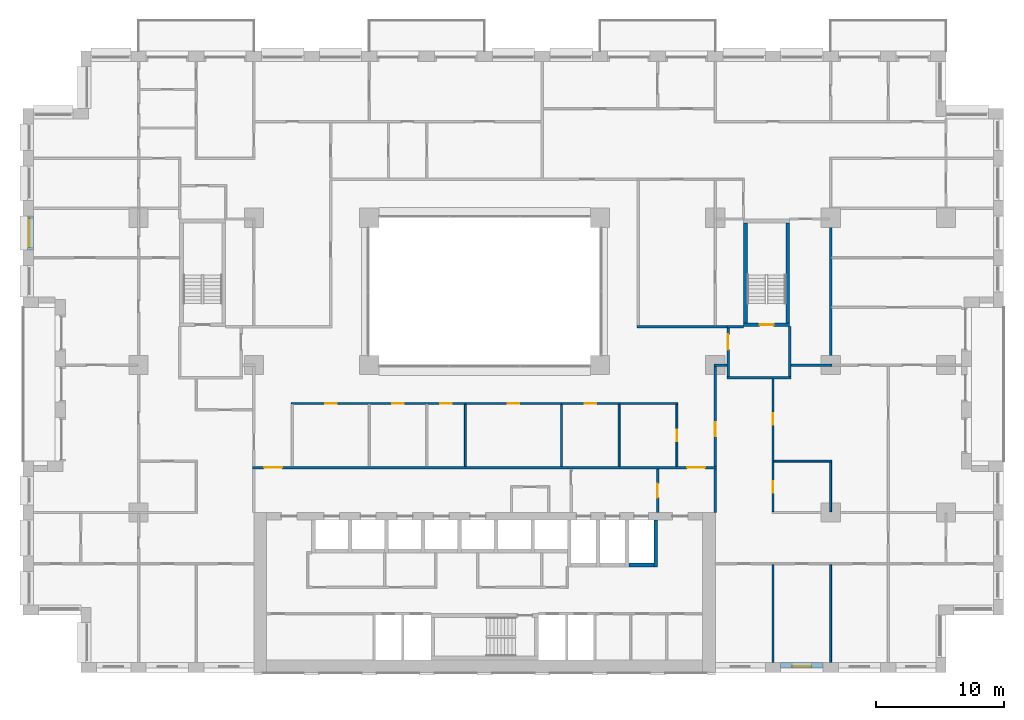
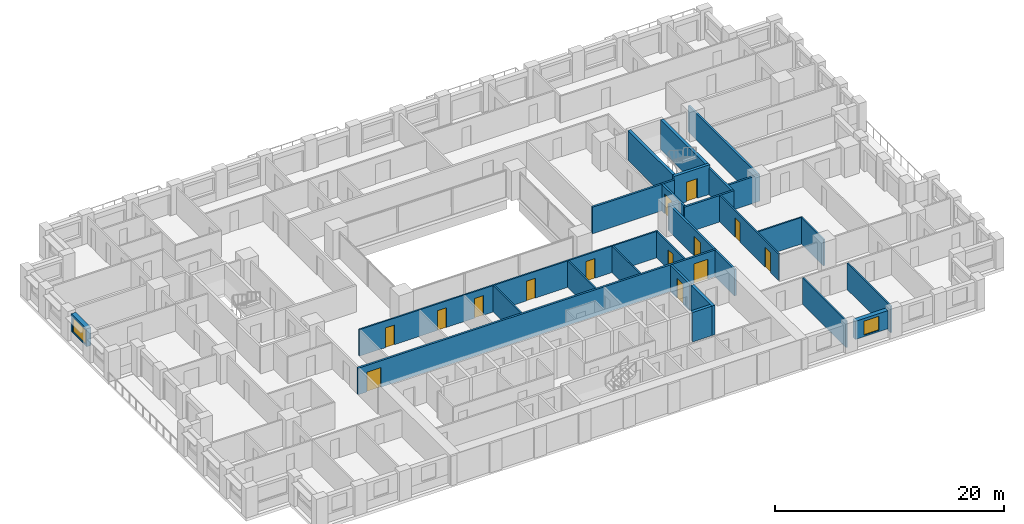
# One storey, part 12 of 20: 29 walls, 14 doors, 2 windows, 16 openings.
"""IFC4 building model written with IfcOpenShell, lengths in metres."""

from ifc_helpers import new_model, si_unit, direction, frame, frame_2d, origin, place, context, subcontext, project, spatial, rectangle, extrude, material, layer, layer_set, type_object, element, fill, save


model = new_model("IFC4")

# Units and contexts
model_context = context("Model", 3, precision=1e-05, world=origin(), true_north=direction((0.0, 1.0)))
body_context = subcontext(model_context, "Body", "Model", "MODEL_VIEW")
ifc_project = project(units=[si_unit("LENGTHUNIT", "METRE"), si_unit("AREAUNIT", "SQUARE_METRE"), si_unit("VOLUMEUNIT", "CUBIC_METRE"), si_unit("PLANEANGLEUNIT", "RADIAN"), si_unit("MASSUNIT", "GRAM", prefix="KILO")], contexts=[model_context])

# Site, building, storey
site_placement = place(None, origin())
site = spatial("IfcSite", under=ifc_project, at=site_placement, CompositionType="ELEMENT")
building_placement = place(site_placement, origin())
building = spatial("IfcBuilding", under=site, at=building_placement, Name="Brigalow Station Residences", CompositionType="ELEMENT")
storey_placement = place(building_placement, frame((0.0, 0.0, 63.60009765625)))
storey = spatial("IfcBuildingStorey", under=building, at=storey_placement, Name="L18", CompositionType="ELEMENT", Elevation=63.60009765625)

# Wall, opening, window
ifc_material_1 = material(Name="Clay brick masonry", Category="masonry")
ifc_layer_1 = layer(ifc_material_1, 0.449951171875)
ifc_layer_set_1 = layer_set([ifc_layer_1], Name="BRICK INFILL WALL 450")
wall_type_1 = type_object("IfcWallType", Name="BRICK INFILL WALL 450", PredefinedType="SOLIDWALL", material=ifc_layer_set_1)
wall_1_placement = place(storey_placement, frame((59.10009765625, 0.574951171875, 0.89990234375), z_axis=(0.0, 0.0, 1.0), x_axis=(1.0, 0.0, 0.0)))
wall_1 = element("IfcWall", 1, at=wall_1_placement, inside=storey, type_object=wall_type_1, Name="L18/ewall/W-L18-6", PredefinedType="SOLIDWALL", context=body_context, shape_type="SweptSolid", body=[
    extrude(rectangle(XDim=3.2998046875, YDim=0.449951171875, at=frame_2d((1.64990234375, 0.0))), origin(), (0.0, 0.0, 1.0), 1.929931640625),
])
opening_1_placement = place(wall_1_placement, frame((0.89990234375, 0.0, 0.14990234375)))
opening_1 = element("IfcOpeningElement", 2, at=opening_1_placement, cuts=wall_1, Name="Opening WT-1", PredefinedType="OPENING", context=body_context, shape_type="SweptSolid", body=[
    extrude(rectangle(XDim=1.5, YDim=1.5, at=frame_2d((0.75, 0.75))), frame((0.0, 0.23486328125, 0.0), z_axis=(0.0, -1.0, 0.0), x_axis=(1.0, 0.0, 0.0)), (0.0, 0.0, 1.0), 0.469970703125),
])
ifc_material_2 = material(Name="Anodised aluminium frame with double glazing", Category="aluminium")
window_type_1 = type_object("IfcWindowType", Name="WINDOW 1500x1500", PartitioningType="SINGLE_PANEL", PredefinedType="WINDOW", material=ifc_material_2)
window_1_placement = place(opening_1_placement, origin())
window_1 = element("IfcWindow", 3, at=window_1_placement, inside=storey, type_object=window_type_1, Name="L18/window/W-L18-6", OverallHeight=1.5, OverallWidth=1.5, PartitioningType="SINGLE_PANEL", PredefinedType="WINDOW", context=body_context, shape_type="SweptSolid", body=[
    extrude(rectangle(XDim=1.5, YDim=1.5, at=frame_2d((0.75, 0.75))), frame((0.0, -0.06494140625, 0.0), z_axis=(0.0, -1.0, 0.0), x_axis=(1.0, 0.0, 0.0)), (0.0, 0.0, 1.0), 0.06005859375),
])
fill(opening_1, window_1)

wall_2_placement = place(storey_placement, frame((0.574951171875, 35.64990234375, 0.89990234375), z_axis=(0.0, 0.0, 1.0), x_axis=(0.0, -1.0, 0.0)))
wall_2 = element("IfcWall", 4, at=wall_2_placement, inside=storey, type_object=wall_type_1, Name="L18/ewall/W-L18-44", PredefinedType="SOLIDWALL", context=body_context, shape_type="SweptSolid", body=[
    extrude(rectangle(XDim=2.6748046875, YDim=0.449951171875, at=frame_2d((1.33740234375, 0.0))), origin(), (0.0, 0.0, 1.0), 1.929931640625),
])
opening_2_placement = place(wall_2_placement, frame((0.21240234375, 0.0, 0.14990234375)))
opening_2 = element("IfcOpeningElement", 5, at=opening_2_placement, cuts=wall_2, Name="Opening WT-6", PredefinedType="OPENING", context=body_context, shape_type="SweptSolid", body=[
    extrude(rectangle(XDim=2.25, YDim=1.5, at=frame_2d((1.125, 0.75))), frame((0.0, 0.23486328125, 0.0), z_axis=(0.0, -1.0, 0.0), x_axis=(1.0, 0.0, 0.0)), (0.0, 0.0, 1.0), 0.469970703125),
])
ifc_material_3 = material(Name="Anodised aluminium frame with double glazing", Category="aluminium")
window_type_2 = type_object("IfcWindowType", Name="WINDOW 2250x1500", PartitioningType="SINGLE_PANEL", PredefinedType="WINDOW", material=ifc_material_3)
window_2_placement = place(opening_2_placement, origin())
window_2 = element("IfcWindow", 6, at=window_2_placement, inside=storey, type_object=window_type_2, Name="L18/window/W-L18-44", OverallHeight=1.5, OverallWidth=2.25, PartitioningType="SINGLE_PANEL", PredefinedType="WINDOW", context=body_context, shape_type="SweptSolid", body=[
    extrude(rectangle(XDim=2.25, YDim=1.5, at=frame_2d((1.125, 0.75))), frame((0.0, -0.06494140625, 0.0), z_axis=(0.0, -1.0, 0.0), x_axis=(1.0, 0.0, 0.0)), (0.0, 0.0, 1.0), 0.06005859375),
])
fill(opening_2, window_2)

# Walls
ifc_material_4 = material(Name="Concrete C80", Category="concrete")
ifc_layer_2 = layer(ifc_material_4, 0.300048828125)
ifc_layer_set_2 = layer_set([ifc_layer_2], Name="CORE SHEAR WALL 300 C80")
wall_type_2 = type_object("IfcWallType", Name="CORE SHEAR WALL 300 C80", PredefinedType="SHEAR", material=ifc_layer_set_2)
wall_3_placement = place(storey_placement, frame((47.25, 8.39990234375, 0.0), z_axis=(0.0, 0.0, 1.0), x_axis=(1.0, 0.0, 0.0)))
element("IfcWall", 7, at=wall_3_placement, inside=storey, type_object=wall_type_2, Name="CORE WALL SH-SL1-S L18", PredefinedType="SHEAR", context=body_context, shape_type="SweptSolid", body=[
    extrude(rectangle(XDim=1.949951171875, YDim=0.300048828125, at=frame_2d((0.97509765625, 0.0))), origin(), (0.0, 0.0, 1.0), 3.14990234375),
])
wall_4_placement = place(storey_placement, frame((49.35009765625, 8.25, 0.0), z_axis=(0.0, 0.0, 1.0), x_axis=(0.0, 1.0, 0.0)))
element("IfcWall", 8, at=wall_4_placement, inside=storey, type_object=wall_type_2, Name="CORE WALL SH-SL1-E L18", PredefinedType="SHEAR", context=body_context, shape_type="SweptSolid", body=[
    extrude(rectangle(XDim=3.64990234375, YDim=0.300048828125, at=frame_2d((1.824951171875, 0.0))), origin(), (0.0, 0.0, 1.0), 3.14990234375),
])

# Wall, opening, door
wall_5_placement = place(storey_placement, frame((56.199951171875, 27.14990234375, 0.0), z_axis=(0.0, 0.0, 1.0), x_axis=(1.0, 0.0, 0.0)))
wall_5 = element("IfcWall", 9, at=wall_5_placement, inside=storey, type_object=wall_type_2, Name="CORE WALL ST-S3-S L18", PredefinedType="SHEAR", context=body_context, shape_type="SweptSolid", body=[
    extrude(rectangle(XDim=3.60009765625, YDim=0.300048828125, at=frame_2d((1.800048828125, 0.0))), origin(), (0.0, 0.0, 1.0), 3.14990234375),
])
opening_3_placement = place(wall_5_placement, frame((1.25, 0.0, 0.0)))
opening_3 = element("IfcOpeningElement", 10, at=opening_3_placement, cuts=wall_5, Name="Opening D-5018", PredefinedType="OPENING", context=body_context, shape_type="SweptSolid", body=[
    extrude(rectangle(XDim=1.10009765625, YDim=2.10009765625, at=frame_2d((0.550048828125, 1.050048828125))), frame((0.0, 0.16015625, 0.0), z_axis=(0.0, -1.0, 0.0), x_axis=(1.0, 0.0, 0.0)), (0.0, 0.0, 1.0), 0.320068359375),
])
ifc_material_5 = material(Name="Steel fire door leaf in steel frame", Category="steel")
door_type_1 = type_object("IfcDoorType", Name="STAIR DOOR 1100 x 2100 FD60S", OperationType="SINGLE_SWING_LEFT", PredefinedType="DOOR", material=ifc_material_5)
door_1_placement = place(opening_3_placement, origin())
door_1 = element("IfcDoor", 11, at=door_1_placement, inside=storey, type_object=door_type_1, Name="D-5018", OperationType="SINGLE_SWING_LEFT", OverallHeight=2.10009765625, OverallWidth=1.10009765625, PredefinedType="DOOR", context=body_context, shape_type="SweptSolid", body=[
    extrude(rectangle(XDim=1.10009765625, YDim=2.10009765625, at=frame_2d((0.550048828125, 1.050048828125))), frame((0.0, 0.02490234375, 0.0), z_axis=(0.0, -1.0, 0.0), x_axis=(1.0, 0.0, 0.0)), (0.0, 0.0, 1.0), 0.050048828125),
])
fill(opening_3, door_1)

# Walls
for number, where, z_axis, x_axis, name in (
    (12, (56.35009765625, 27.300048828125, 0.0), (0.0, 0.0, 1.0), (0.0, 1.0, 0.0), "CORE WALL ST-S3-W L18"),
    (13, (59.64990234375, 27.300048828125, 0.0), (0.0, 0.0, 1.0), (0.0, 1.0, 0.0), "CORE WALL ST-S3-E L18"),
):
    element("IfcWall", number, at=place(storey_placement, frame(where, z_axis=z_axis, x_axis=x_axis)), inside=storey, type_object=wall_type_2, Name=name, PredefinedType="SHEAR", context=body_context, shape_type="SweptSolid", body=[
        extrude(rectangle(XDim=7.800048828125, YDim=0.300048828125, at=frame_2d((3.89990234375, 0.0))), origin(), (0.0, 0.0, 1.0), 3.14990234375),
    ])
ifc_material_6 = material(Name="Concrete blockwork", Category="masonry")
ifc_layer_3 = layer(ifc_material_6, 0.199951171875)
ifc_layer_set_3 = layer_set([ifc_layer_3], Name="FIRE RATED CORE PARTITION 200")
wall_type_3 = type_object("IfcWallType", Name="FIRE RATED CORE PARTITION 200", PredefinedType="PARTITIONING", material=ifc_layer_set_3)
wall_6_placement = place(storey_placement, frame((54.89990234375, 23.0, 0.0), z_axis=(0.0, 0.0, 1.0), x_axis=(1.0, 0.0, 0.0)))
element("IfcWall", 14, at=wall_6_placement, inside=storey, type_object=wall_type_3, Name="PW-5024", PredefinedType="PARTITIONING", context=body_context, shape_type="SweptSolid", body=[
    extrude(rectangle(XDim=5.0, YDim=0.199951171875, at=frame_2d((2.5, 0.0))), origin(), (0.0, 0.0, 1.0), 2.829833984375),
])
wall_7_placement = place(storey_placement, frame((54.89990234375, 27.0, 0.0), z_axis=(0.0, 0.0, 1.0), x_axis=(1.0, 0.0, 0.0)))
element("IfcWall", 15, at=wall_7_placement, inside=storey, type_object=wall_type_3, Name="PW-5026", PredefinedType="PARTITIONING", context=body_context, shape_type="SweptSolid", body=[
    extrude(rectangle(XDim=1.300048828125, YDim=0.199951171875, at=frame_2d((0.64990234375, 0.0))), origin(), (0.0, 0.0, 1.0), 2.829833984375),
])

# Wall, opening, door
wall_8_placement = place(storey_placement, frame((49.5, 12.5, 0.0), z_axis=(0.0, 0.0, 1.0), x_axis=(0.0, 1.0, 0.0)))
wall_8 = element("IfcWall", 16, at=wall_8_placement, inside=storey, type_object=wall_type_3, Name="PW-5015", PredefinedType="PARTITIONING", context=body_context, shape_type="SweptSolid", body=[
    extrude(rectangle(XDim=3.39990234375, YDim=0.199951171875, at=frame_2d((1.699951171875, 0.0))), origin(), (0.0, 0.0, 1.0), 2.829833984375),
])
opening_4_placement = place(wall_8_placement, frame((1.14990234375, 0.0, 0.0)))
opening_4 = element("IfcOpeningElement", 17, at=opening_4_placement, cuts=wall_8, Name="Opening D-5014", PredefinedType="OPENING", context=body_context, shape_type="SweptSolid", body=[
    extrude(rectangle(XDim=1.10009765625, YDim=2.10009765625, at=frame_2d((0.550048828125, 1.050048828125))), frame((0.0, 0.10986328125, 0.0), z_axis=(0.0, -1.0, 0.0), x_axis=(1.0, 0.0, 0.0)), (0.0, 0.0, 1.0), 0.219970703125),
])
ifc_material_7 = material(Name="Steel fire door leaf in steel frame", Category="steel")
door_type_2 = type_object("IfcDoorType", Name="LOBBY DOOR 1100 x 2100 FD60S", OperationType="SINGLE_SWING_LEFT", PredefinedType="DOOR", material=ifc_material_7)
door_2_placement = place(opening_4_placement, origin())
door_2 = element("IfcDoor", 18, at=door_2_placement, inside=storey, type_object=door_type_2, Name="D-5014", OperationType="SINGLE_SWING_LEFT", OverallHeight=2.10009765625, OverallWidth=1.10009765625, PredefinedType="DOOR", context=body_context, shape_type="SweptSolid", body=[
    extrude(rectangle(XDim=1.10009765625, YDim=2.10009765625, at=frame_2d((0.550048828125, 1.050048828125))), frame((0.0, 0.02490234375, 0.0), z_axis=(0.0, -1.0, 0.0), x_axis=(1.0, 0.0, 0.0)), (0.0, 0.0, 1.0), 0.050048828125),
])
fill(opening_4, door_2)

# Wall
wall_9_placement = place(storey_placement, frame((54.0, 12.5, 0.0), z_axis=(0.0, 0.0, 1.0), x_axis=(0.0, 1.0, 0.0)))
element("IfcWall", 19, at=wall_9_placement, inside=storey, type_object=wall_type_3, Name="PW-5016", PredefinedType="PARTITIONING", context=body_context, shape_type="SweptSolid", body=[
    extrude(rectangle(XDim=3.39990234375, YDim=0.199951171875, at=frame_2d((1.699951171875, 0.0))), origin(), (0.0, 0.0, 1.0), 2.829833984375),
])

# Wall, opening, door
wall_10_placement = place(storey_placement, frame((55.0, 23.10009765625, 0.0), z_axis=(0.0, 0.0, 1.0), x_axis=(0.0, 1.0, 0.0)))
wall_10 = element("IfcWall", 20, at=wall_10_placement, inside=storey, type_object=wall_type_3, Name="PW-5036", PredefinedType="PARTITIONING", context=body_context, shape_type="SweptSolid", body=[
    extrude(rectangle(XDim=3.7998046875, YDim=0.199951171875, at=frame_2d((1.89990234375, 0.0))), origin(), (0.0, 0.0, 1.0), 2.829833984375),
])
opening_5_placement = place(wall_10_placement, frame((2.10009765625, 0.0, 0.0)))
opening_5 = element("IfcOpeningElement", 21, at=opening_5_placement, cuts=wall_10, Name="Opening D-5019", PredefinedType="OPENING", context=body_context, shape_type="SweptSolid", body=[
    extrude(rectangle(XDim=1.199951171875, YDim=2.10009765625, at=frame_2d((0.60009765625, 1.050048828125))), frame((0.0, 0.10986328125, 0.0), z_axis=(0.0, -1.0, 0.0), x_axis=(1.0, 0.0, 0.0)), (0.0, 0.0, 1.0), 0.219970703125),
])
ifc_material_8 = material(Name="Steel fire door leaf in steel frame", Category="steel")
door_type_3 = type_object("IfcDoorType", Name="STAIR LOBBY DOOR 1200 x 2100 FD60S", OperationType="SINGLE_SWING_LEFT", PredefinedType="DOOR", material=ifc_material_8)
door_3_placement = place(opening_5_placement, frame((1.199951171875, 0.0, 0.0), z_axis=(0.0, 0.0, 1.0), x_axis=(-1.0, 0.0, 0.0)))
door_3 = element("IfcDoor", 22, at=door_3_placement, inside=storey, type_object=door_type_3, Name="D-5019", OperationType="SINGLE_SWING_LEFT", OverallHeight=2.10009765625, OverallWidth=1.199951171875, PredefinedType="DOOR", context=body_context, shape_type="SweptSolid", body=[
    extrude(rectangle(XDim=1.199951171875, YDim=2.10009765625, at=frame_2d((0.60009765625, 1.050048828125))), frame((0.0, 0.02490234375, 0.0), z_axis=(0.0, -1.0, 0.0), x_axis=(1.0, 0.0, 0.0)), (0.0, 0.0, 1.0), 0.050048828125),
])
fill(opening_5, door_3)

# Wall
wall_11_placement = place(storey_placement, frame((59.800048828125, 23.10009765625, 0.0), z_axis=(0.0, 0.0, 1.0), x_axis=(0.0, 1.0, 0.0)))
element("IfcWall", 23, at=wall_11_placement, inside=storey, type_object=wall_type_3, Name="PW-5037", PredefinedType="PARTITIONING", context=body_context, shape_type="SweptSolid", body=[
    extrude(rectangle(XDim=3.89990234375, YDim=0.199951171875, at=frame_2d((1.949951171875, 0.0))), origin(), (0.0, 0.0, 1.0), 2.829833984375),
])

# Wall, openings, doors
ifc_material_9 = material(Name="Plasterboard on steel stud partition", Category="steel")
ifc_layer_4 = layer(ifc_material_9, 0.14990234375)
ifc_layer_set_4 = layer_set([ifc_layer_4], Name="FLAT PARTITION 150")
wall_type_4 = type_object("IfcWallType", Name="FLAT PARTITION 150", PredefinedType="PARTITIONING", material=ifc_layer_set_4)
wall_12_placement = place(storey_placement, frame((20.925048828125, 21.0, 0.0), z_axis=(0.0, 0.0, 1.0), x_axis=(1.0, 0.0, 0.0)))
wall_12 = element("IfcWall", 24, at=wall_12_placement, inside=storey, type_object=wall_type_4, Name="PW-1F01", PredefinedType="PARTITIONING", context=body_context, shape_type="SweptSolid", body=[
    extrude(rectangle(XDim=30.14990234375, YDim=0.14990234375, at=frame_2d((15.074951171875, 0.0))), origin(), (0.0, 0.0, 1.0), 2.829833984375),
])
opening_6_placement = place(wall_12_placement, frame((2.625, 0.0, 0.0)))
opening_6 = element("IfcOpeningElement", 25, at=opening_6_placement, cuts=wall_12, Name="Opening D-1F67", PredefinedType="OPENING", context=body_context, shape_type="SweptSolid", body=[
    extrude(rectangle(XDim=0.89990234375, YDim=2.10009765625, at=frame_2d((0.449951171875, 1.050048828125))), frame((0.0, 0.0849609375, 0.0), z_axis=(0.0, -1.0, 0.0), x_axis=(1.0, 0.0, 0.0)), (0.0, 0.0, 1.0), 0.169921875),
])
opening_7_placement = place(wall_12_placement, frame((7.875, 0.0, 0.0)))
opening_7 = element("IfcOpeningElement", 26, at=opening_7_placement, cuts=wall_12, Name="Opening D-1F68", PredefinedType="OPENING", context=body_context, shape_type="SweptSolid", body=[
    extrude(rectangle(XDim=0.89990234375, YDim=2.10009765625, at=frame_2d((0.449951171875, 1.050048828125))), frame((0.0, 0.0849609375, 0.0), z_axis=(0.0, -1.0, 0.0), x_axis=(1.0, 0.0, 0.0)), (0.0, 0.0, 1.0), 0.169921875),
])
opening_8_placement = place(wall_12_placement, frame((11.625, 0.0, 0.0)))
opening_8 = element("IfcOpeningElement", 27, at=opening_8_placement, cuts=wall_12, Name="Opening D-1F69", PredefinedType="OPENING", context=body_context, shape_type="SweptSolid", body=[
    extrude(rectangle(XDim=0.89990234375, YDim=2.10009765625, at=frame_2d((0.449951171875, 1.050048828125))), frame((0.0, 0.0849609375, 0.0), z_axis=(0.0, -1.0, 0.0), x_axis=(1.0, 0.0, 0.0)), (0.0, 0.0, 1.0), 0.169921875),
])
opening_9_placement = place(wall_12_placement, frame((16.875, 0.0, 0.0)))
opening_9 = element("IfcOpeningElement", 28, at=opening_9_placement, cuts=wall_12, Name="Opening D-1F70", PredefinedType="OPENING", context=body_context, shape_type="SweptSolid", body=[
    extrude(rectangle(XDim=0.89990234375, YDim=2.10009765625, at=frame_2d((0.449951171875, 1.050048828125))), frame((0.0, 0.0849609375, 0.0), z_axis=(0.0, -1.0, 0.0), x_axis=(1.0, 0.0, 0.0)), (0.0, 0.0, 1.0), 0.169921875),
])
opening_10_placement = place(wall_12_placement, frame((22.875, 0.0, 0.0)))
opening_10 = element("IfcOpeningElement", 29, at=opening_10_placement, cuts=wall_12, Name="Opening D-1F71", PredefinedType="OPENING", context=body_context, shape_type="SweptSolid", body=[
    extrude(rectangle(XDim=0.89990234375, YDim=2.10009765625, at=frame_2d((0.449951171875, 1.050048828125))), frame((0.0, 0.0849609375, 0.0), z_axis=(0.0, -1.0, 0.0), x_axis=(1.0, 0.0, 0.0)), (0.0, 0.0, 1.0), 0.169921875),
])
ifc_material_10 = material(Name="Solid-core timber door leaf", Category="wood")
door_type_4 = type_object("IfcDoorType", Name="INTERNAL DOOR 900 x 2100", OperationType="SINGLE_SWING_LEFT", PredefinedType="DOOR", material=ifc_material_10)
door_4_placement = place(opening_6_placement, frame((0.89990234375, 0.0, 0.0), z_axis=(0.0, 0.0, 1.0), x_axis=(-1.0, 0.0, 0.0)))
door_4 = element("IfcDoor", 30, at=door_4_placement, inside=storey, type_object=door_type_4, Name="D-1F67", OperationType="SINGLE_SWING_LEFT", OverallHeight=2.10009765625, OverallWidth=0.89990234375, PredefinedType="DOOR", context=body_context, shape_type="SweptSolid", body=[
    extrude(rectangle(XDim=0.89990234375, YDim=2.10009765625, at=frame_2d((0.449951171875, 1.050048828125))), frame((0.0, 0.02490234375, 0.0), z_axis=(0.0, -1.0, 0.0), x_axis=(1.0, 0.0, 0.0)), (0.0, 0.0, 1.0), 0.050048828125),
])
fill(opening_6, door_4)
door_5_placement = place(opening_7_placement, frame((0.89990234375, 0.0, 0.0), z_axis=(0.0, 0.0, 1.0), x_axis=(-1.0, 0.0, 0.0)))
door_5 = element("IfcDoor", 31, at=door_5_placement, inside=storey, type_object=door_type_4, Name="D-1F68", OperationType="SINGLE_SWING_LEFT", OverallHeight=2.10009765625, OverallWidth=0.89990234375, PredefinedType="DOOR", context=body_context, shape_type="SweptSolid", body=[
    extrude(rectangle(XDim=0.89990234375, YDim=2.10009765625, at=frame_2d((0.449951171875, 1.050048828125))), frame((0.0, 0.02490234375, 0.0), z_axis=(0.0, -1.0, 0.0), x_axis=(1.0, 0.0, 0.0)), (0.0, 0.0, 1.0), 0.050048828125),
])
fill(opening_7, door_5)
door_6_placement = place(opening_8_placement, frame((0.89990234375, 0.0, 0.0), z_axis=(0.0, 0.0, 1.0), x_axis=(-1.0, 0.0, 0.0)))
door_6 = element("IfcDoor", 32, at=door_6_placement, inside=storey, type_object=door_type_4, Name="D-1F69", OperationType="SINGLE_SWING_RIGHT", OverallHeight=2.10009765625, OverallWidth=0.89990234375, PredefinedType="DOOR", context=body_context, shape_type="SweptSolid", body=[
    extrude(rectangle(XDim=0.89990234375, YDim=2.10009765625, at=frame_2d((0.449951171875, 1.050048828125))), frame((0.0, 0.02490234375, 0.0), z_axis=(0.0, -1.0, 0.0), x_axis=(1.0, 0.0, 0.0)), (0.0, 0.0, 1.0), 0.050048828125),
])
fill(opening_8, door_6)
door_7_placement = place(opening_9_placement, frame((0.89990234375, 0.0, 0.0), z_axis=(0.0, 0.0, 1.0), x_axis=(-1.0, 0.0, 0.0)))
door_7 = element("IfcDoor", 33, at=door_7_placement, inside=storey, type_object=door_type_4, Name="D-1F70", OperationType="SINGLE_SWING_LEFT", OverallHeight=2.10009765625, OverallWidth=0.89990234375, PredefinedType="DOOR", context=body_context, shape_type="SweptSolid", body=[
    extrude(rectangle(XDim=0.89990234375, YDim=2.10009765625, at=frame_2d((0.449951171875, 1.050048828125))), frame((0.0, 0.02490234375, 0.0), z_axis=(0.0, -1.0, 0.0), x_axis=(1.0, 0.0, 0.0)), (0.0, 0.0, 1.0), 0.050048828125),
])
fill(opening_9, door_7)
door_8_placement = place(opening_10_placement, frame((0.89990234375, 0.0, 0.0), z_axis=(0.0, 0.0, 1.0), x_axis=(-1.0, 0.0, 0.0)))
door_8 = element("IfcDoor", 34, at=door_8_placement, inside=storey, type_object=door_type_4, Name="D-1F71", OperationType="SINGLE_SWING_LEFT", OverallHeight=2.10009765625, OverallWidth=0.89990234375, PredefinedType="DOOR", context=body_context, shape_type="SweptSolid", body=[
    extrude(rectangle(XDim=0.89990234375, YDim=2.10009765625, at=frame_2d((0.449951171875, 1.050048828125))), frame((0.0, 0.02490234375, 0.0), z_axis=(0.0, -1.0, 0.0), x_axis=(1.0, 0.0, 0.0)), (0.0, 0.0, 1.0), 0.050048828125),
])
fill(opening_10, door_8)

# Wall
wall_13_placement = place(storey_placement, frame((58.574951171875, 16.5, 0.0), z_axis=(0.0, 0.0, 1.0), x_axis=(1.0, 0.0, 0.0)))
element("IfcWall", 35, at=wall_13_placement, inside=storey, type_object=wall_type_4, Name="PW-1F17", PredefinedType="PARTITIONING", context=body_context, shape_type="SweptSolid", body=[
    extrude(rectangle(XDim=4.5, YDim=0.14990234375, at=frame_2d((2.25, 0.0))), origin(), (0.0, 0.0, 1.0), 2.829833984375),
])

# Wall, opening, door
wall_14_placement = place(storey_placement, frame((51.0, 16.10009765625, 0.0), z_axis=(0.0, 0.0, 1.0), x_axis=(0.0, 1.0, 0.0)))
wall_14 = element("IfcWall", 36, at=wall_14_placement, inside=storey, type_object=wall_type_4, Name="PW-1F45", PredefinedType="PARTITIONING", context=body_context, shape_type="SweptSolid", body=[
    extrude(rectangle(XDim=4.824951171875, YDim=0.14990234375, at=frame_2d((2.41259765625, 0.0))), origin(), (0.0, 0.0, 1.0), 2.829833984375),
])
opening_11_placement = place(wall_14_placement, frame((1.949951171875, 0.0, 0.0)))
opening_11 = element("IfcOpeningElement", 37, at=opening_11_placement, cuts=wall_14, Name="Opening D-1F72", PredefinedType="OPENING", context=body_context, shape_type="SweptSolid", body=[
    extrude(rectangle(XDim=0.89990234375, YDim=2.10009765625, at=frame_2d((0.449951171875, 1.050048828125))), frame((0.0, 0.0849609375, 0.0), z_axis=(0.0, -1.0, 0.0), x_axis=(1.0, 0.0, 0.0)), (0.0, 0.0, 1.0), 0.169921875),
])
door_9_placement = place(opening_11_placement, origin())
door_9 = element("IfcDoor", 38, at=door_9_placement, inside=storey, type_object=door_type_4, Name="D-1F72", OperationType="SINGLE_SWING_LEFT", OverallHeight=2.10009765625, OverallWidth=0.89990234375, PredefinedType="DOOR", context=body_context, shape_type="SweptSolid", body=[
    extrude(rectangle(XDim=0.89990234375, YDim=2.10009765625, at=frame_2d((0.449951171875, 1.050048828125))), frame((0.0, 0.02490234375, 0.0), z_axis=(0.0, -1.0, 0.0), x_axis=(1.0, 0.0, 0.0)), (0.0, 0.0, 1.0), 0.050048828125),
])
fill(opening_11, door_9)

# Walls
wall_15_placement = place(storey_placement, frame((63.0, 0.800048828125, 0.0), z_axis=(0.0, 0.0, 1.0), x_axis=(0.0, 1.0, 0.0)))
element("IfcWall", 39, at=wall_15_placement, inside=storey, type_object=wall_type_4, Name="PW-1F69", PredefinedType="PARTITIONING", context=body_context, shape_type="SweptSolid", body=[
    extrude(rectangle(XDim=7.625, YDim=0.14990234375, at=frame_2d((3.8125, 0.0))), origin(), (0.0, 0.0, 1.0), 2.829833984375),
])
wall_16_placement = place(storey_placement, frame((63.0, 12.574951171875, 0.0), z_axis=(0.0, 0.0, 1.0), x_axis=(0.0, 1.0, 0.0)))
element("IfcWall", 40, at=wall_16_placement, inside=storey, type_object=wall_type_4, Name="PW-1F70", PredefinedType="PARTITIONING", context=body_context, shape_type="SweptSolid", body=[
    extrude(rectangle(XDim=3.85009765625, YDim=0.14990234375, at=frame_2d((1.925048828125, 0.0))), origin(), (0.0, 0.0, 1.0), 2.829833984375),
])
wall_17_placement = place(storey_placement, frame((58.5, 0.800048828125, 0.0), z_axis=(0.0, 0.0, 1.0), x_axis=(0.0, 1.0, 0.0)))
element("IfcWall", 41, at=wall_17_placement, inside=storey, type_object=wall_type_4, Name="PW-1F83", PredefinedType="PARTITIONING", context=body_context, shape_type="SweptSolid", body=[
    extrude(rectangle(XDim=7.625, YDim=0.14990234375, at=frame_2d((3.8125, 0.0))), origin(), (0.0, 0.0, 1.0), 2.829833984375),
])

# Wall, openings, doors
wall_18_placement = place(storey_placement, frame((58.5, 12.574951171875, 0.0), z_axis=(0.0, 0.0, 1.0), x_axis=(0.0, 1.0, 0.0)))
wall_18 = element("IfcWall", 42, at=wall_18_placement, inside=storey, type_object=wall_type_4, Name="PW-1F84", PredefinedType="PARTITIONING", context=body_context, shape_type="SweptSolid", body=[
    extrude(rectangle(XDim=10.324951171875, YDim=0.14990234375, at=frame_2d((5.16259765625, 0.0))), origin(), (0.0, 0.0, 1.0), 2.829833984375),
])
opening_12_placement = place(wall_18_placement, frame((1.47509765625, 0.0, 0.0)))
opening_12 = element("IfcOpeningElement", 43, at=opening_12_placement, cuts=wall_18, Name="Opening D-1F52", PredefinedType="OPENING", context=body_context, shape_type="SweptSolid", body=[
    extrude(rectangle(XDim=0.89990234375, YDim=2.10009765625, at=frame_2d((0.449951171875, 1.050048828125))), frame((0.0, 0.0849609375, 0.0), z_axis=(0.0, -1.0, 0.0), x_axis=(1.0, 0.0, 0.0)), (0.0, 0.0, 1.0), 0.169921875),
])
opening_13_placement = place(wall_18_placement, frame((6.75, 0.0, 0.0)))
opening_13 = element("IfcOpeningElement", 44, at=opening_13_placement, cuts=wall_18, Name="Opening D-1F62", PredefinedType="OPENING", context=body_context, shape_type="SweptSolid", body=[
    extrude(rectangle(XDim=0.89990234375, YDim=2.10009765625, at=frame_2d((0.449951171875, 1.050048828125))), frame((0.0, 0.0849609375, 0.0), z_axis=(0.0, -1.0, 0.0), x_axis=(1.0, 0.0, 0.0)), (0.0, 0.0, 1.0), 0.169921875),
])
door_10_placement = place(opening_12_placement, frame((0.89990234375, 0.0, 0.0), z_axis=(0.0, 0.0, 1.0), x_axis=(-1.0, 0.0, 0.0)))
door_10 = element("IfcDoor", 45, at=door_10_placement, inside=storey, type_object=door_type_4, Name="D-1F52", OperationType="SINGLE_SWING_LEFT", OverallHeight=2.10009765625, OverallWidth=0.89990234375, PredefinedType="DOOR", context=body_context, shape_type="SweptSolid", body=[
    extrude(rectangle(XDim=0.89990234375, YDim=2.10009765625, at=frame_2d((0.449951171875, 1.050048828125))), frame((0.0, 0.02490234375, 0.0), z_axis=(0.0, -1.0, 0.0), x_axis=(1.0, 0.0, 0.0)), (0.0, 0.0, 1.0), 0.050048828125),
])
fill(opening_12, door_10)
door_11_placement = place(opening_13_placement, frame((0.89990234375, 0.0, 0.0), z_axis=(0.0, 0.0, 1.0), x_axis=(-1.0, 0.0, 0.0)))
door_11 = element("IfcDoor", 46, at=door_11_placement, inside=storey, type_object=door_type_4, Name="D-1F62", OperationType="SINGLE_SWING_LEFT", OverallHeight=2.10009765625, OverallWidth=0.89990234375, PredefinedType="DOOR", context=body_context, shape_type="SweptSolid", body=[
    extrude(rectangle(XDim=0.89990234375, YDim=2.10009765625, at=frame_2d((0.449951171875, 1.050048828125))), frame((0.0, 0.02490234375, 0.0), z_axis=(0.0, -1.0, 0.0), x_axis=(1.0, 0.0, 0.0)), (0.0, 0.0, 1.0), 0.050048828125),
])
fill(opening_13, door_11)

# Walls
for number, where, z_axis, x_axis, name in (
    (47, (34.5, 16.10009765625, 0.0), (0.0, 0.0, 1.0), (0.0, 1.0, 0.0), "PW-1F85"),
    (48, (42.0, 16.10009765625, 0.0), (0.0, 0.0, 1.0), (0.0, 1.0, 0.0), "PW-1F86"),
    (49, (46.5, 16.10009765625, 0.0), (0.0, 0.0, 1.0), (0.0, 1.0, 0.0), "PW-1F87"),
):
    element("IfcWall", number, at=place(storey_placement, frame(where, z_axis=z_axis, x_axis=x_axis)), inside=storey, type_object=wall_type_4, Name=name, PredefinedType="PARTITIONING", context=body_context, shape_type="SweptSolid", body=[
        extrude(rectangle(XDim=4.824951171875, YDim=0.14990234375, at=frame_2d((2.41259765625, 0.0))), origin(), (0.0, 0.0, 1.0), 2.829833984375),
    ])
ifc_material_11 = material(Name="Plasterboard on steel stud partition", Category="steel")
ifc_layer_5 = layer(ifc_material_11, 0.199951171875)
ifc_layer_set_5 = layer_set([ifc_layer_5], Name="PARTY AND CORRIDOR WALL 200")
wall_type_5 = type_object("IfcWallType", Name="PARTY AND CORRIDOR WALL 200", PredefinedType="PARTITIONING", material=ifc_layer_set_5)
wall_19_placement = place(storey_placement, frame((53.89990234375, 24.0, 0.0), z_axis=(0.0, 0.0, 1.0), x_axis=(1.0, 0.0, 0.0)))
element("IfcWall", 50, at=wall_19_placement, inside=storey, type_object=wall_type_5, Name="PW-1F05", PredefinedType="PARTITIONING", context=body_context, shape_type="SweptSolid", body=[
    extrude(rectangle(XDim=1.0, YDim=0.199951171875, at=frame_2d((0.5, 0.0))), origin(), (0.0, 0.0, 1.0), 2.829833984375),
])
wall_20_placement = place(storey_placement, frame((59.89990234375, 24.0, 0.0), z_axis=(0.0, 0.0, 1.0), x_axis=(1.0, 0.0, 0.0)))
element("IfcWall", 51, at=wall_20_placement, inside=storey, type_object=wall_type_5, Name="PW-1F06", PredefinedType="PARTITIONING", context=body_context, shape_type="SweptSolid", body=[
    extrude(rectangle(XDim=3.2001953125, YDim=0.199951171875, at=frame_2d((1.60009765625, 0.0))), origin(), (0.0, 0.0, 1.0), 2.829833984375),
])
wall_21_placement = place(storey_placement, frame((47.89990234375, 27.0, 0.0), z_axis=(0.0, 0.0, 1.0), x_axis=(1.0, 0.0, 0.0)))
element("IfcWall", 52, at=wall_21_placement, inside=storey, type_object=wall_type_5, Name="PW-1F08", PredefinedType="PARTITIONING", context=body_context, shape_type="SweptSolid", body=[
    extrude(rectangle(XDim=7.0, YDim=0.199951171875, at=frame_2d((3.5, 0.0))), origin(), (0.0, 0.0, 1.0), 2.829833984375),
])

# Wall, openings, doors
wall_22_placement = place(storey_placement, frame((17.89990234375, 16.0, 0.0), z_axis=(0.0, 0.0, 1.0), x_axis=(1.0, 0.0, 0.0)))
wall_22 = element("IfcWall", 53, at=wall_22_placement, inside=storey, type_object=wall_type_5, Name="PW-1F37", PredefinedType="PARTITIONING", context=body_context, shape_type="SweptSolid", body=[
    extrude(rectangle(XDim=36.2001953125, YDim=0.199951171875, at=frame_2d((18.10009765625, 0.0))), origin(), (0.0, 0.0, 1.0), 2.829833984375),
])
opening_14_placement = place(wall_22_placement, frame((0.89990234375, 0.0, 0.0)))
opening_14 = element("IfcOpeningElement", 54, at=opening_14_placement, cuts=wall_22, Name="Opening D-1F01", PredefinedType="OPENING", context=body_context, shape_type="SweptSolid", body=[
    extrude(rectangle(XDim=1.39990234375, YDim=2.10009765625, at=frame_2d((0.699951171875, 1.050048828125))), frame((0.0, 0.10986328125, 0.0), z_axis=(0.0, -1.0, 0.0), x_axis=(1.0, 0.0, 0.0)), (0.0, 0.0, 1.0), 0.219970703125),
])
opening_15_placement = place(wall_22_placement, frame((33.89990234375, 0.0, 0.0)))
opening_15 = element("IfcOpeningElement", 55, at=opening_15_placement, cuts=wall_22, Name="Opening D-1F02", PredefinedType="OPENING", context=body_context, shape_type="SweptSolid", body=[
    extrude(rectangle(XDim=1.39990234375, YDim=2.10009765625, at=frame_2d((0.699951171875, 1.050048828125))), frame((0.0, 0.10986328125, 0.0), z_axis=(0.0, -1.0, 0.0), x_axis=(1.0, 0.0, 0.0)), (0.0, 0.0, 1.0), 0.219970703125),
])
ifc_material_12 = material(Name="Solid-core timber door leaf", Category="wood")
door_type_5 = type_object("IfcDoorType", Name="CORRIDOR FIRE DOOR 1400 x 2100 FRL -/60/30", OperationType="DOUBLE_DOOR_SINGLE_SWING", PredefinedType="DOOR", material=ifc_material_12)
door_12_placement = place(opening_14_placement, frame((1.39990234375, 0.0, 0.0), z_axis=(0.0, 0.0, 1.0), x_axis=(-1.0, 0.0, 0.0)))
door_12 = element("IfcDoor", 56, at=door_12_placement, inside=storey, type_object=door_type_5, Name="D-1F01", OperationType="DOUBLE_DOOR_SINGLE_SWING", OverallHeight=2.10009765625, OverallWidth=1.39990234375, PredefinedType="DOOR", context=body_context, shape_type="SweptSolid", body=[
    extrude(rectangle(XDim=1.39990234375, YDim=2.10009765625, at=frame_2d((0.699951171875, 1.050048828125))), frame((0.0, 0.02490234375, 0.0), z_axis=(0.0, -1.0, 0.0), x_axis=(1.0, 0.0, 0.0)), (0.0, 0.0, 1.0), 0.050048828125),
])
fill(opening_14, door_12)
door_13_placement = place(opening_15_placement, frame((1.39990234375, 0.0, 0.0), z_axis=(0.0, 0.0, 1.0), x_axis=(-1.0, 0.0, 0.0)))
door_13 = element("IfcDoor", 57, at=door_13_placement, inside=storey, type_object=door_type_5, Name="D-1F02", OperationType="DOUBLE_DOOR_SINGLE_SWING", OverallHeight=2.10009765625, OverallWidth=1.39990234375, PredefinedType="DOOR", context=body_context, shape_type="SweptSolid", body=[
    extrude(rectangle(XDim=1.39990234375, YDim=2.10009765625, at=frame_2d((0.699951171875, 1.050048828125))), frame((0.0, 0.02490234375, 0.0), z_axis=(0.0, -1.0, 0.0), x_axis=(1.0, 0.0, 0.0)), (0.0, 0.0, 1.0), 0.050048828125),
])
fill(opening_15, door_13)

# Wall, opening, door
wall_23_placement = place(storey_placement, frame((54.0, 16.10009765625, 0.0), z_axis=(0.0, 0.0, 1.0), x_axis=(0.0, 1.0, 0.0)))
wall_23 = element("IfcWall", 58, at=wall_23_placement, inside=storey, type_object=wall_type_5, Name="PW-1F43", PredefinedType="PARTITIONING", context=body_context, shape_type="SweptSolid", body=[
    extrude(rectangle(XDim=7.7998046875, YDim=0.199951171875, at=frame_2d((3.89990234375, 0.0))), origin(), (0.0, 0.0, 1.0), 2.829833984375),
])
opening_16_placement = place(wall_23_placement, frame((2.35009765625, 0.0, 0.0)))
opening_16 = element("IfcOpeningElement", 59, at=opening_16_placement, cuts=wall_23, Name="Opening D-1F66", PredefinedType="OPENING", context=body_context, shape_type="SweptSolid", body=[
    extrude(rectangle(XDim=1.10009765625, YDim=2.10009765625, at=frame_2d((0.550048828125, 1.050048828125))), frame((0.0, 0.10986328125, 0.0), z_axis=(0.0, -1.0, 0.0), x_axis=(1.0, 0.0, 0.0)), (0.0, 0.0, 1.0), 0.219970703125),
])
ifc_material_13 = material(Name="Solid-core timber door leaf", Category="wood")
door_type_6 = type_object("IfcDoorType", Name="FLAT ENTRANCE DOOR 1100 x 2100 FRL -/60/30", OperationType="SINGLE_SWING_LEFT", PredefinedType="DOOR", material=ifc_material_13)
door_14_placement = place(opening_16_placement, frame((1.10009765625, 0.0, 0.0), z_axis=(0.0, 0.0, 1.0), x_axis=(-1.0, 0.0, 0.0)))
door_14 = element("IfcDoor", 60, at=door_14_placement, inside=storey, type_object=door_type_6, Name="D-1F66", OperationType="SINGLE_SWING_LEFT", OverallHeight=2.10009765625, OverallWidth=1.10009765625, PredefinedType="DOOR", context=body_context, shape_type="SweptSolid", body=[
    extrude(rectangle(XDim=1.10009765625, YDim=2.10009765625, at=frame_2d((0.550048828125, 1.050048828125))), frame((0.0, 0.02490234375, 0.0), z_axis=(0.0, -1.0, 0.0), x_axis=(1.0, 0.0, 0.0)), (0.0, 0.0, 1.0), 0.050048828125),
])
fill(opening_16, door_14)

# Wall
wall_24_placement = place(storey_placement, frame((63.0, 24.074951171875, 0.0), z_axis=(0.0, 0.0, 1.0), x_axis=(0.0, 1.0, 0.0)))
element("IfcWall", 61, at=wall_24_placement, inside=storey, type_object=wall_type_5, Name="PW-1F73", PredefinedType="PARTITIONING", context=body_context, shape_type="SweptSolid", body=[
    extrude(rectangle(XDim=12.074951171875, YDim=0.199951171875, at=frame_2d((6.03759765625, 0.0))), origin(), (0.0, 0.0, 1.0), 2.829833984375),
])

save(model, "model.ifc")
